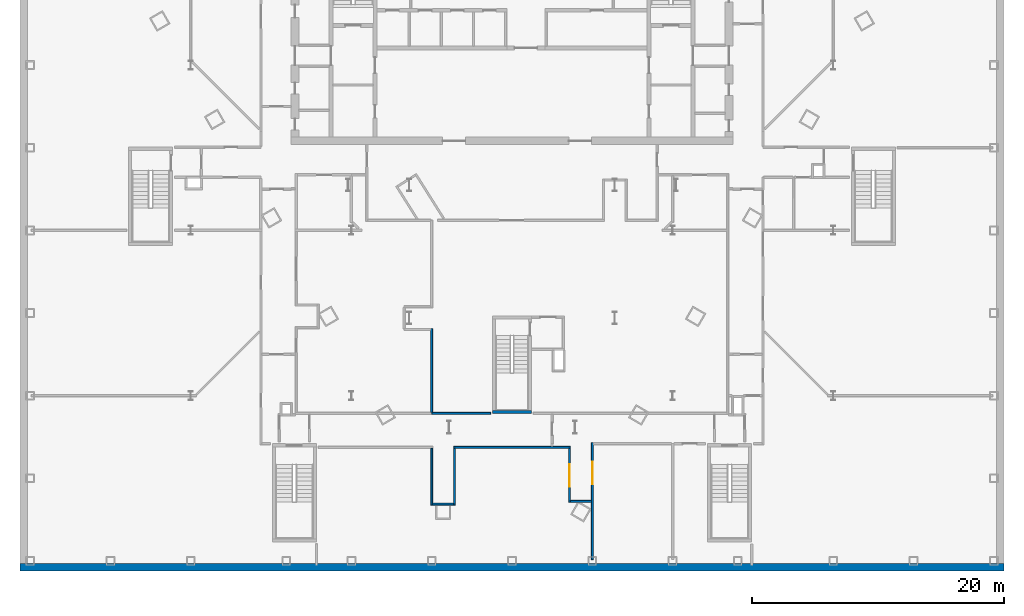
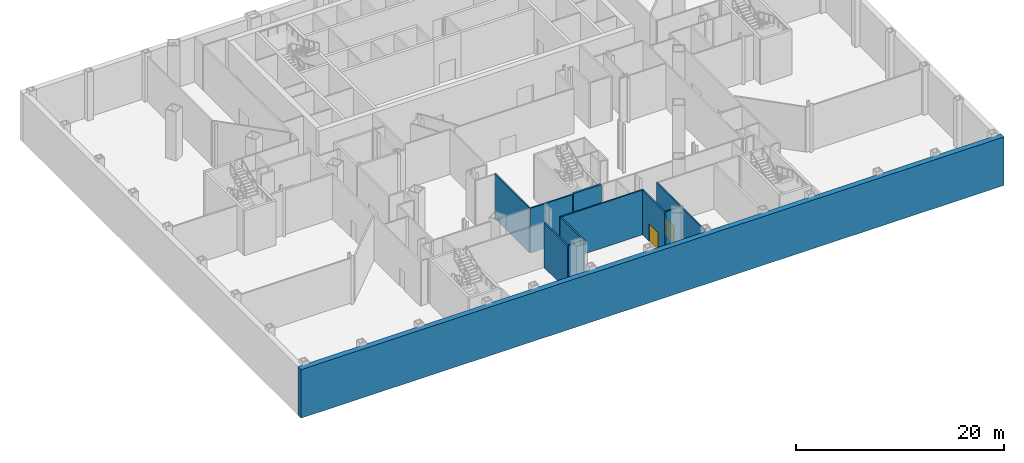
# One storey, part 6 of 18: 11 walls, 2 doors, 2 openings.
"""IFC4 building model written with IfcOpenShell, lengths in metres."""

from ifc_helpers import new_model, si_unit, direction, frame, frame_2d, origin, place, context, subcontext, project, spatial, rectangle, extrude, material, layer, layer_set, type_object, element, fill, save


model = new_model("IFC4")

# Units and contexts
model_context = context("Model", 3, precision=1e-05, world=origin(), true_north=direction((0.0, 1.0)))
body_context = subcontext(model_context, "Body", "Model", "MODEL_VIEW")
ifc_project = project(units=[si_unit("LENGTHUNIT", "METRE"), si_unit("AREAUNIT", "SQUARE_METRE"), si_unit("VOLUMEUNIT", "CUBIC_METRE"), si_unit("PLANEANGLEUNIT", "RADIAN"), si_unit("MASSUNIT", "GRAM", prefix="KILO")], contexts=[model_context])

# Site, building, storey
site_placement = place(None, origin())
site = spatial("IfcSite", under=ifc_project, at=site_placement, CompositionType="ELEMENT")
building_placement = place(site_placement, origin())
building = spatial("IfcBuilding", under=site, at=building_placement, Name="Njiva Tower", CompositionType="ELEMENT")
storey_placement = place(building_placement, frame((0.0, 0.0, -5.7)))
storey = spatial("IfcBuildingStorey", under=building, at=storey_placement, Name="B1", CompositionType="ELEMENT", Elevation=-5.7)

# Walls
ifc_material_1 = material(Name="Gypsum board on steel studs", Category="gypsum")
ifc_layer_1 = layer(ifc_material_1, 0.15)
ifc_layer_set_1 = layer_set([ifc_layer_1], Name="Gypsum board on steel studs")
wall_type_1 = type_object("IfcWallType", Name="WT21 Compartment wall 150", PredefinedType="PARTITIONING", material=ifc_layer_set_1)
wall_1_placement = place(storey_placement, frame((-6.367, -21.225, 0.0), z_axis=(0.0, 0.0, 1.0), x_axis=(0.0, 1.0, 0.0)))
element("IfcWall", 1, at=wall_1_placement, inside=storey, type_object=wall_type_1, Name="Partition B1-P057", PredefinedType="PARTITIONING", context=body_context, shape_type="SweptSolid", body=[
    extrude(rectangle(XDim=6.65, YDim=0.15, at=frame_2d((3.325, 0.0))), origin(), (0.0, 0.0, 1.0), 5.25),
])
wall_2_placement = place(storey_placement, frame((-6.361, -28.571, 0.0), z_axis=(0.0, 0.0, 1.0), x_axis=(0.0, 1.0, 0.0)))
element("IfcWall", 2, at=wall_2_placement, inside=storey, type_object=wall_type_1, Name="Partition B1-P059", PredefinedType="PARTITIONING", context=body_context, shape_type="SweptSolid", body=[
    extrude(rectangle(XDim=4.496, YDim=0.15, at=frame_2d((2.248, 0.0))), origin(), (0.0, 0.0, 1.0), 5.25),
])
wall_3_placement = place(storey_placement, frame((-6.361, -21.3, 0.0), z_axis=(0.0, 0.0, 1.0), x_axis=(1.0, 0.0, 0.0)))
element("IfcWall", 3, at=wall_3_placement, inside=storey, type_object=wall_type_1, Name="Partition B1-P060", PredefinedType="PARTITIONING", context=body_context, shape_type="SweptSolid", body=[
    extrude(rectangle(XDim=4.661, YDim=0.15, at=frame_2d((2.3305, 0.0))), origin(), (0.0, 0.0, 1.0), 5.25),
])
wall_4_placement = place(storey_placement, frame((-6.286, -28.496, 0.0), z_axis=(0.0, 0.0, 1.0), x_axis=(1.0, 0.0, 0.0)))
element("IfcWall", 4, at=wall_4_placement, inside=storey, type_object=wall_type_1, Name="Partition B1-P061", PredefinedType="PARTITIONING", context=body_context, shape_type="SweptSolid", body=[
    extrude(rectangle(XDim=1.65, YDim=0.15, at=frame_2d((0.825, 0.0))), origin(), (0.0, 0.0, 1.0), 5.25),
])
wall_5_placement = place(storey_placement, frame((-4.636, -24.0, 0.0), z_axis=(0.0, 0.0, 1.0), x_axis=(1.0, 0.0, 0.0)))
element("IfcWall", 5, at=wall_5_placement, inside=storey, type_object=wall_type_1, Name="Partition B1-P063", PredefinedType="PARTITIONING", context=body_context, shape_type="SweptSolid", body=[
    extrude(rectangle(XDim=9.272, YDim=0.15, at=frame_2d((4.636, 0.0))), origin(), (0.0, 0.0, 1.0), 5.25),
])
wall_6_placement = place(storey_placement, frame((-4.561, -28.571, 0.0), z_axis=(0.0, 0.0, 1.0), x_axis=(0.0, 1.0, 0.0)))
element("IfcWall", 6, at=wall_6_placement, inside=storey, type_object=wall_type_1, Name="Partition B1-P064", PredefinedType="PARTITIONING", context=body_context, shape_type="SweptSolid", body=[
    extrude(rectangle(XDim=4.496, YDim=0.15, at=frame_2d((2.248, 0.0))), origin(), (0.0, 0.0, 1.0), 5.25),
])

# Wall, opening, door
wall_7_placement = place(storey_placement, frame((4.561, -28.351, 0.0), z_axis=(0.0, 0.0, 1.0), x_axis=(0.0, 1.0, 0.0)))
wall_7 = element("IfcWall", 7, at=wall_7_placement, inside=storey, type_object=wall_type_1, Name="Partition B1-P069", PredefinedType="PARTITIONING", context=body_context, shape_type="SweptSolid", body=[
    extrude(rectangle(XDim=4.276, YDim=0.15, at=frame_2d((2.138, 0.0))), origin(), (0.0, 0.0, 1.0), 5.25),
])
opening_1_placement = place(wall_7_placement, frame((1.225, 0.0, 0.0)))
opening_1 = element("IfcOpeningElement", 8, at=opening_1_placement, cuts=wall_7, Name="Opening B1-D018", PredefinedType="OPENING", context=body_context, shape_type="SweptSolid", body=[
    extrude(rectangle(XDim=1.8, YDim=2.1, at=frame_2d((0.9, 1.05))), frame((0.0, 0.085, 0.0), z_axis=(0.0, -1.0, 0.0), x_axis=(1.0, 0.0, 0.0)), (0.0, 0.0, 1.0), 0.17),
])
ifc_material_2 = material(Name="Steel fire door set", Category="steel")
door_type = type_object("IfcDoorType", Name="D38 Fire door 1800x2100", OperationType="DOUBLE_DOOR_SINGLE_SWING", PredefinedType="DOOR", material=ifc_material_2)
door_1_placement = place(opening_1_placement, origin())
door_1 = element("IfcDoor", 9, at=door_1_placement, inside=storey, type_object=door_type, Name="Door B1-D018", OperationType="DOUBLE_DOOR_SINGLE_SWING", OverallHeight=2.1, OverallWidth=1.8, PredefinedType="DOOR", context=body_context, shape_type="SweptSolid", body=[
    extrude(rectangle(XDim=1.8, YDim=2.1, at=frame_2d((0.9, 1.05))), frame((0.0, 0.025, 0.0), z_axis=(0.0, -1.0, 0.0), x_axis=(1.0, 0.0, 0.0)), (0.0, 0.0, 1.0), 0.05),
])
fill(opening_1, door_1)

# Wall
wall_8_placement = place(storey_placement, frame((4.636, -28.276, 0.0), z_axis=(0.0, 0.0, 1.0), x_axis=(1.0, 0.0, 0.0)))
element("IfcWall", 10, at=wall_8_placement, inside=storey, type_object=wall_type_1, Name="Partition B1-P070", PredefinedType="PARTITIONING", context=body_context, shape_type="SweptSolid", body=[
    extrude(rectangle(XDim=1.656, YDim=0.15, at=frame_2d((0.828, 0.0))), origin(), (0.0, 0.0, 1.0), 5.25),
])

# Wall, opening, door
wall_9_placement = place(storey_placement, frame((6.367, -32.9, 0.0), z_axis=(0.0, 0.0, 1.0), x_axis=(0.0, 1.0, 0.0)))
wall_9 = element("IfcWall", 11, at=wall_9_placement, inside=storey, type_object=wall_type_1, Name="Partition B1-P071", PredefinedType="PARTITIONING", context=body_context, shape_type="SweptSolid", body=[
    extrude(rectangle(XDim=9.275, YDim=0.15, at=frame_2d((4.6375, 0.0))), origin(), (0.0, 0.0, 1.0), 5.25),
])
opening_2_placement = place(wall_9_placement, frame((5.981, 0.0, 0.0)))
opening_2 = element("IfcOpeningElement", 12, at=opening_2_placement, cuts=wall_9, Name="Opening B1-D019", PredefinedType="OPENING", context=body_context, shape_type="SweptSolid", body=[
    extrude(rectangle(XDim=1.8, YDim=2.1, at=frame_2d((0.9, 1.05))), frame((0.0, 0.085, 0.0), z_axis=(0.0, -1.0, 0.0), x_axis=(1.0, 0.0, 0.0)), (0.0, 0.0, 1.0), 0.17),
])
door_2_placement = place(opening_2_placement, origin())
door_2 = element("IfcDoor", 13, at=door_2_placement, inside=storey, type_object=door_type, Name="Door B1-D019", OperationType="DOUBLE_DOOR_SINGLE_SWING", OverallHeight=2.1, OverallWidth=1.8, PredefinedType="DOOR", context=body_context, shape_type="SweptSolid", body=[
    extrude(rectangle(XDim=1.8, YDim=2.1, at=frame_2d((0.9, 1.05))), frame((0.0, 0.025, 0.0), z_axis=(0.0, -1.0, 0.0), x_axis=(1.0, 0.0, 0.0)), (0.0, 0.0, 1.0), 0.05),
])
fill(opening_2, door_2)

# Walls
ifc_material_3 = material(Name="Concrete C40/50", Category="concrete")
ifc_layer_2 = layer(ifc_material_3, 0.225)
ifc_layer_set_2 = layer_set([ifc_layer_2], Name="Concrete C40/50")
wall_type_2 = type_object("IfcWallType", Name="WT8 Stair enclosure wall 225", PredefinedType="SHEAR", material=ifc_layer_set_2)
wall_10_placement = place(storey_placement, frame((-1.55, -21.1875, 0.0), z_axis=(0.0, 0.0, 1.0), x_axis=(1.0, 0.0, 0.0)))
element("IfcWall", 14, at=wall_10_placement, inside=storey, type_object=wall_type_2, Name="Stair C wall south", PredefinedType="SHEAR", context=body_context, shape_type="SweptSolid", body=[
    extrude(rectangle(XDim=3.1, YDim=0.225, at=frame_2d((1.55, 0.0))), origin(), (0.0, 0.0, 1.0), 5.25),
])
ifc_layer_3 = layer(ifc_material_3, 0.6)
ifc_layer_set_3 = layer_set([ifc_layer_3], Name="Concrete C40/50")
wall_type_3 = type_object("IfcWallType", Name="WT93 Basement retaining wall 600", PredefinedType="STANDARD", material=ifc_layer_set_3)
wall_11_placement = place(storey_placement, frame((-39.0, -33.5, -0.4), z_axis=(0.0, 0.0, 1.0), x_axis=(1.0, 0.0, 0.0)))
element("IfcWall", 15, at=wall_11_placement, inside=storey, type_object=wall_type_3, Name="Basement retaining wall", PredefinedType="STANDARD", context=body_context, shape_type="SweptSolid", body=[
    extrude(rectangle(XDim=78.0, YDim=0.6, at=frame_2d((39.0, 0.0))), origin(), (0.0, 0.0, 1.0), 5.7),
])

save(model, "model.ifc")
